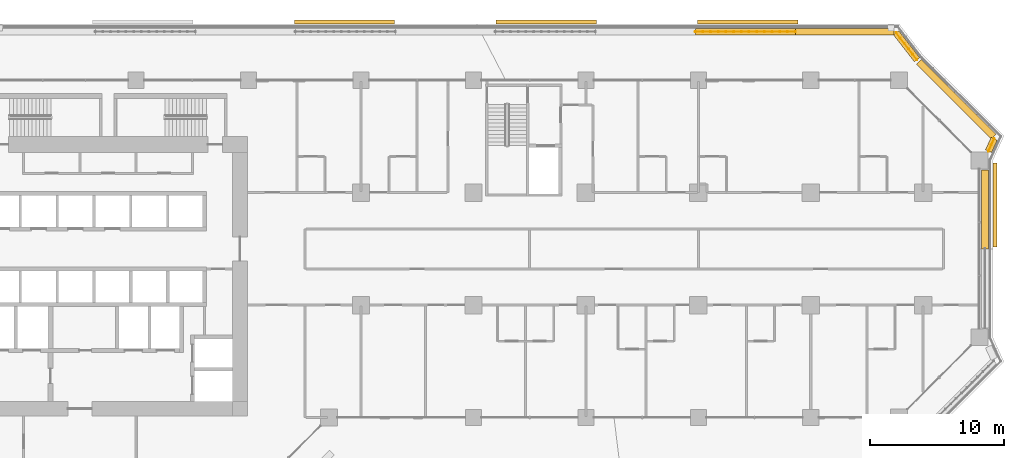
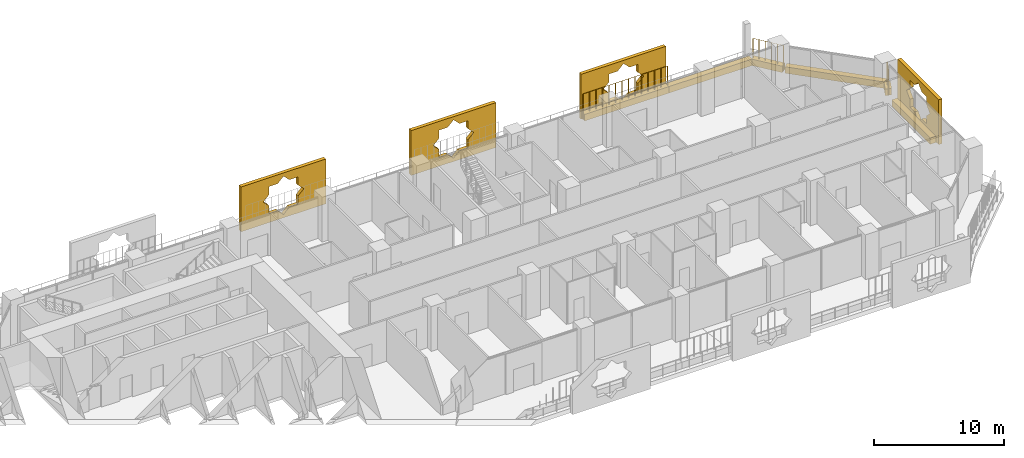
# One storey, part 28 of 28: 10 coverings, 3 railings.
"""IFC4 building model written with IfcOpenShell, lengths in metres."""

from ifc_helpers import new_model, si_unit, direction, frame, origin, origin_2d, place, context, subcontext, project, spatial, polyline, rectangle, circle, outline, extrude, material, material_profile, profile_set, type_object, element, save


model = new_model("IFC4")

# Units and contexts
model_context = context("Model", 3, precision=1e-05, world=origin(), true_north=direction((0.0, 1.0)))
body_context = subcontext(model_context, "Body", "Model", "MODEL_VIEW")
ifc_project = project(units=[si_unit("LENGTHUNIT", "METRE"), si_unit("AREAUNIT", "SQUARE_METRE"), si_unit("VOLUMEUNIT", "CUBIC_METRE"), si_unit("PLANEANGLEUNIT", "RADIAN"), si_unit("MASSUNIT", "GRAM", prefix="KILO")], contexts=[model_context])

# Site, building, storey
site_placement = place(None, origin())
site = spatial("IfcSite", under=ifc_project, at=site_placement, CompositionType="ELEMENT")
building_placement = place(site_placement, origin())
building = spatial("IfcBuilding", under=site, at=building_placement, Name="Kawkab Arch Medical Tower", CompositionType="ELEMENT")
storey_placement = place(building_placement, frame((0.0, 0.0, 81.199951171875)))
storey = spatial("IfcBuildingStorey", under=building, at=storey_placement, Name="L18", CompositionType="ELEMENT", Elevation=81.199951171875)

# Coverings
ifc_material_1 = material(Name="Bronze anodised aluminium mashrabiya panel, eight-point star pattern", Category="aluminium")
ifc_material_profile_1 = material_profile(ifc_material_1, outline(polyline([(-3.14990234375, -2.10009765625), (3.14990234375, -2.10009765625), (3.14990234375, 2.10009765625), (-3.14990234375, 2.10009765625), (-3.14990234375, -2.10009765625)]), holes=[polyline([(1.800048828125, 0.0), (1.272705078125, 0.527099609375), (1.272705078125, 1.272705078125), (0.527099609375, 1.272705078125), (0.0, 1.800048828125), (-0.527099609375, 1.272705078125), (-1.272705078125, 1.272705078125), (-1.272705078125, 0.527099609375), (-1.800048828125, 0.0), (-1.272705078125, -0.527099609375), (-1.272705078125, -1.272705078125), (-0.527099609375, -1.272705078125), (0.0, -1.800048828125), (0.527099609375, -1.272705078125), (1.272705078125, -1.272705078125), (1.272705078125, -0.527099609375), (1.800048828125, 0.0)])]), Name="Mashrabiya panel 6300x4200")
ifc_profile_set_1 = profile_set([ifc_material_profile_1], Name="Bronze anodised aluminium mashrabiya panel, eight-point star pattern")
covering_type_1 = type_object("IfcCoveringType", Name="Mashrabiya panel 6300 x 4200", PredefinedType="USERDEFINED", material=ifc_profile_set_1)
covering_1_placement = place(storey_placement, frame((80.800048828125, -9.31884765625, 1.699951171875), z_axis=(1.0, 0.0, 0.0), x_axis=(0.0, 1.0, 0.0)))
element("IfcCovering", 1, at=covering_1_placement, inside=storey, type_object=covering_type_1, Name="Mashrabiya panel L18.LOG-01-01.10", ObjectType="SCREEN", PredefinedType="USERDEFINED", context=body_context, shape_type="SweptSolid", body=[
    extrude(outline(polyline([(-3.14990234375, -2.10009765625), (3.14990234375, -2.10009765625), (3.14990234375, 2.10009765625), (-3.14990234375, 2.10009765625), (-3.14990234375, -2.10009765625)]), holes=[polyline([(1.800048828125, 0.0), (1.272705078125, 0.527099609375), (1.272705078125, 1.272705078125), (0.527099609375, 1.272705078125), (0.0, 1.800048828125), (-0.527099609375, 1.272705078125), (-1.272705078125, 1.272705078125), (-1.272705078125, 0.527099609375), (-1.800048828125, 0.0), (-1.272705078125, -0.527099609375), (-1.272705078125, -1.272705078125), (-0.527099609375, -1.272705078125), (0.0, -1.800048828125), (0.527099609375, -1.272705078125), (1.272705078125, -1.272705078125), (1.272705078125, -0.527099609375), (1.800048828125, 0.0)])]), origin(), (0.0, 0.0, 1.0), 0.300048828125),
])
ifc_material_2 = material(Name="Bronze anodised aluminium mashrabiya panel, eight-point star pattern", Category="aluminium")
ifc_material_profile_2 = material_profile(ifc_material_2, outline(polyline([(-3.75, -2.10009765625), (3.75, -2.10009765625), (3.75, 2.10009765625), (-3.75, 2.10009765625), (-3.75, -2.10009765625)]), holes=[polyline([(1.800048828125, 0.0), (1.272705078125, 0.527099609375), (1.272705078125, 1.272705078125), (0.527099609375, 1.272705078125), (0.0, 1.800048828125), (-0.527099609375, 1.272705078125), (-1.272705078125, 1.272705078125), (-1.272705078125, 0.527099609375), (-1.800048828125, 0.0), (-1.272705078125, -0.527099609375), (-1.272705078125, -1.272705078125), (-0.527099609375, -1.272705078125), (0.0, -1.800048828125), (0.527099609375, -1.272705078125), (1.272705078125, -1.272705078125), (1.272705078125, -0.527099609375), (1.800048828125, 0.0)])]), Name="Mashrabiya panel 7500x4200")
ifc_profile_set_2 = profile_set([ifc_material_profile_2], Name="Bronze anodised aluminium mashrabiya panel, eight-point star pattern")
covering_type_2 = type_object("IfcCoveringType", Name="Mashrabiya panel 7500 x 4200", PredefinedType="USERDEFINED", material=ifc_profile_set_2)
for number, where, z_axis, x_axis, name in (
    (2, (32.367919921875, 4.199951171875, 1.699951171875), (0.0, 1.0, 0.0), (-1.0, 0.0, 0.0), "Mashrabiya panel L18.LOG-01-01.7"),
    (3, (47.43212890625, 4.199951171875, 1.699951171875), (0.0, 1.0, 0.0), (-1.0, 0.0, 0.0), "Mashrabiya panel L18.LOG-01-01.8"),
    (4, (62.49658203125, 4.199951171875, 1.699951171875), (0.0, 1.0, 0.0), (-1.0, 0.0, 0.0), "Mashrabiya panel L18.LOG-01-01.9"),
):
    element("IfcCovering", number, at=place(storey_placement, frame(where, z_axis=z_axis, x_axis=x_axis)), inside=storey, type_object=covering_type_2, Name=name, ObjectType="SCREEN", PredefinedType="USERDEFINED", context=body_context, shape_type="SweptSolid", body=[
        extrude(outline(polyline([(-3.75, -2.10009765625), (3.75, -2.10009765625), (3.75, 2.10009765625), (-3.75, 2.10009765625), (-3.75, -2.10009765625)]), holes=[polyline([(1.800048828125, 0.0), (1.272705078125, 0.527099609375), (1.272705078125, 1.272705078125), (0.527099609375, 1.272705078125), (0.0, 1.800048828125), (-0.527099609375, 1.272705078125), (-1.272705078125, 1.272705078125), (-1.272705078125, 0.527099609375), (-1.800048828125, 0.0), (-1.272705078125, -0.527099609375), (-1.272705078125, -1.272705078125), (-0.527099609375, -1.272705078125), (0.0, -1.800048828125), (0.527099609375, -1.272705078125), (1.272705078125, -1.272705078125), (1.272705078125, -0.527099609375), (1.800048828125, 0.0)])]), origin(), (0.0, 0.0, 1.0), 0.300048828125),
    ])
ifc_material_3 = material(Name="Planting soil in a precast trough", Category="concrete")
ifc_material_profile_3 = material_profile(ifc_material_3, rectangle(XDim=0.5, YDim=0.60009765625, at=origin_2d()), Name="Trough 500x600")
ifc_profile_set_3 = profile_set([ifc_material_profile_3], Name="Planting soil in a precast trough")
covering_type_3 = type_object("IfcCoveringType", Name="Planter trough 500 x 600", PredefinedType="USERDEFINED", material=ifc_profile_set_3)
covering_2_placement = place(storey_placement, frame((58.575927734375, 3.6201171875, 0.300048828125), z_axis=(1.0, 0.0, 0.0), x_axis=(0.0, 1.0, 0.0)))
element("IfcCovering", 5, at=covering_2_placement, inside=storey, type_object=covering_type_3, Name="Planter L18.LOG-01-01.27", ObjectType="PLANTER", PredefinedType="USERDEFINED", context=body_context, shape_type="SweptSolid", body=[
    extrude(rectangle(XDim=0.5, YDim=0.60009765625, at=origin_2d()), origin(), (0.0, 0.0, 1.0), 7.469970703125),
])
covering_3_placement = place(storey_placement, frame((66.0458984375, 3.6201171875, 0.300048828125), z_axis=(1.0, 0.0, 0.0), x_axis=(0.0, 1.0, 0.0)))
element("IfcCovering", 6, at=covering_3_placement, inside=storey, type_object=covering_type_3, Name="Planter L18.LOG-01-01.28", ObjectType="PLANTER", PredefinedType="USERDEFINED", context=body_context, shape_type="SweptSolid", body=[
    extrude(rectangle(XDim=0.5, YDim=0.60009765625, at=origin_2d()), origin(), (0.0, 0.0, 1.0), 7.3701171875),
])
covering_4_placement = place(storey_placement, frame((73.577880859375, 3.541015625, 0.300048828125), z_axis=(0.614099956103, -0.789228258436, 0.0), x_axis=(0.789228258436, 0.614099956103, 0.0)))
element("IfcCovering", 7, at=covering_4_placement, inside=storey, type_object=covering_type_3, Name="Planter L18.LOG-01-01.29", ObjectType="PLANTER", PredefinedType="USERDEFINED", context=body_context, shape_type="SweptSolid", body=[
    extrude(rectangle(XDim=0.5, YDim=0.60009765625, at=origin_2d()), origin(), (0.0, 0.0, 1.0), 2.545654296875),
])
covering_5_placement = place(storey_placement, frame((75.27294921875, 1.383056640625, 0.300048828125), z_axis=(0.707106781187, -0.707106781187, 0.0), x_axis=(0.707106781187, 0.707106781187, 0.0)))
element("IfcCovering", 8, at=covering_5_placement, inside=storey, type_object=covering_type_3, Name="Planter L18.LOG-01-01.30", ObjectType="PLANTER", PredefinedType="USERDEFINED", context=body_context, shape_type="SweptSolid", body=[
    extrude(rectangle(XDim=0.5, YDim=0.60009765625, at=origin_2d()), origin(), (0.0, 0.0, 1.0), 7.919677734375),
])
covering_6_placement = place(storey_placement, frame((80.902099609375, -4.37890625, 0.300048828125), z_axis=(-0.415071571878, -0.909788761317, 0.0), x_axis=(0.909788761317, -0.415071571878, 0.0)))
element("IfcCovering", 9, at=covering_6_placement, inside=storey, type_object=covering_type_3, Name="Planter L18.LOG-01-01.31", ObjectType="PLANTER", PredefinedType="USERDEFINED", context=body_context, shape_type="SweptSolid", body=[
    extrude(rectangle(XDim=0.5, YDim=0.60009765625, at=origin_2d()), origin(), (0.0, 0.0, 1.0), 1.0146484375),
])
covering_7_placement = place(storey_placement, frame((80.219970703125, -6.705078125, 0.300048828125), z_axis=(0.0, -1.0, 0.0), x_axis=(1.0, 0.0, 0.0)))
element("IfcCovering", 10, at=covering_7_placement, inside=storey, type_object=covering_type_3, Name="Planter L18.LOG-01-01.32", ObjectType="PLANTER", PredefinedType="USERDEFINED", context=body_context, shape_type="SweptSolid", body=[
    extrude(rectangle(XDim=0.5, YDim=0.60009765625, at=origin_2d()), origin(), (0.0, 0.0, 1.0), 5.89501953125),
])

# Railings
ifc_material_4 = material(Name="Bronze anodised aluminium trellis for climbing plants", Category="aluminium")
railing_type = type_object("IfcRailingType", Name="Planting trellis 2400", PredefinedType="USERDEFINED", material=ifc_material_4)
railing_1_placement = place(storey_placement, frame((58.575927734375, 3.6201171875, 0.0)))
element("IfcRailing", 11, at=railing_1_placement, inside=storey, type_object=railing_type, Name="Planting trellis L18.LOG-01-01.27", ObjectType="TRELLIS", PredefinedType="USERDEFINED", context=body_context, shape_type="SweptSolid", body=[
    extrude(circle(Radius=0.01513671875, at=origin_2d()), frame((0.0, 0.0, 2.384765625), z_axis=(1.0, 0.0, 0.0), x_axis=(0.0, 1.0, 0.0)), (0.0, 0.0, 1.0), 7.469970703125),
    extrude(circle(Radius=0.030029296875, at=origin_2d()), origin(), (0.0, 0.0, 1.0), 2.369873046875),
    extrude(circle(Radius=0.030029296875, at=origin_2d()), frame((0.57470703125, 0.0, 0.0)), (0.0, 0.0, 1.0), 2.369873046875),
    extrude(circle(Radius=0.030029296875, at=origin_2d()), frame((1.149169921875, 0.0, 0.0)), (0.0, 0.0, 1.0), 2.369873046875),
    extrude(circle(Radius=0.030029296875, at=origin_2d()), frame((1.723876953125, 0.0, 0.0)), (0.0, 0.0, 1.0), 2.369873046875),
    extrude(circle(Radius=0.030029296875, at=origin_2d()), frame((2.29833984375, 0.0, 0.0)), (0.0, 0.0, 1.0), 2.369873046875),
    extrude(circle(Radius=0.030029296875, at=origin_2d()), frame((2.873046875, 0.0, 0.0)), (0.0, 0.0, 1.0), 2.369873046875),
    extrude(circle(Radius=0.030029296875, at=origin_2d()), frame((3.44775390625, 0.0, 0.0)), (0.0, 0.0, 1.0), 2.369873046875),
    extrude(circle(Radius=0.030029296875, at=origin_2d()), frame((4.022216796875, 0.0, 0.0)), (0.0, 0.0, 1.0), 2.369873046875),
    extrude(circle(Radius=0.030029296875, at=origin_2d()), frame((4.596923828125, 0.0, 0.0)), (0.0, 0.0, 1.0), 2.369873046875),
    extrude(circle(Radius=0.030029296875, at=origin_2d()), frame((5.171630859375, 0.0, 0.0)), (0.0, 0.0, 1.0), 2.369873046875),
    extrude(circle(Radius=0.030029296875, at=origin_2d()), frame((5.74609375, 0.0, 0.0)), (0.0, 0.0, 1.0), 2.369873046875),
    extrude(circle(Radius=0.030029296875, at=origin_2d()), frame((6.32080078125, 0.0, 0.0)), (0.0, 0.0, 1.0), 2.369873046875),
    extrude(circle(Radius=0.030029296875, at=origin_2d()), frame((6.895263671875, 0.0, 0.0)), (0.0, 0.0, 1.0), 2.369873046875),
    extrude(circle(Radius=0.030029296875, at=origin_2d()), frame((7.469970703125, 0.0, 0.0)), (0.0, 0.0, 1.0), 2.369873046875),
])
railing_2_placement = place(storey_placement, frame((73.577880859375, 3.541015625, 0.0)))
element("IfcRailing", 12, at=railing_2_placement, inside=storey, type_object=railing_type, Name="Planting trellis L18.LOG-01-01.29", ObjectType="TRELLIS", PredefinedType="USERDEFINED", context=body_context, shape_type="SweptSolid", body=[
    extrude(circle(Radius=0.01513671875, at=origin_2d()), frame((0.0, 0.0, 2.384765625), z_axis=(0.614099956103, -0.789228258436, 0.0), x_axis=(0.789228258436, 0.614099956103, 0.0)), (0.0, 0.0, 1.0), 2.545654296875),
    extrude(circle(Radius=0.030029296875, at=origin_2d()), origin(), (0.0, 0.0, 1.0), 2.369873046875),
    extrude(circle(Radius=0.030029296875, at=origin_2d()), frame((0.312744140625, -0.40185546875, 0.0)), (0.0, 0.0, 1.0), 2.369873046875),
    extrude(circle(Radius=0.030029296875, at=origin_2d()), frame((0.625244140625, -0.8037109375, 0.0)), (0.0, 0.0, 1.0), 2.369873046875),
    extrude(circle(Radius=0.030029296875, at=origin_2d()), frame((0.93798828125, -1.205322265625, 0.0)), (0.0, 0.0, 1.0), 2.369873046875),
    extrude(circle(Radius=0.030029296875, at=origin_2d()), frame((1.25048828125, -1.607177734375, 0.0)), (0.0, 0.0, 1.0), 2.369873046875),
    extrude(circle(Radius=0.030029296875, at=origin_2d()), frame((1.563232421875, -2.009033203125, 0.0)), (0.0, 0.0, 1.0), 2.369873046875),
])
railing_3_placement = place(storey_placement, frame((80.902099609375, -4.37890625, 0.0)))
element("IfcRailing", 13, at=railing_3_placement, inside=storey, type_object=railing_type, Name="Planting trellis L18.LOG-01-01.31", ObjectType="TRELLIS", PredefinedType="USERDEFINED", context=body_context, shape_type="SweptSolid", body=[
    extrude(circle(Radius=0.01513671875, at=origin_2d()), frame((0.0, 0.0, 2.384765625), z_axis=(-0.415071571878, -0.909788761317, 0.0), x_axis=(0.909788761317, -0.415071571878, 0.0)), (0.0, 0.0, 1.0), 1.0146484375),
    extrude(circle(Radius=0.030029296875, at=origin_2d()), origin(), (0.0, 0.0, 1.0), 2.369873046875),
    extrude(circle(Radius=0.030029296875, at=origin_2d()), frame((-0.21044921875, -0.46142578125, 0.0)), (0.0, 0.0, 1.0), 2.369873046875),
    extrude(circle(Radius=0.030029296875, at=origin_2d()), frame((-0.421142578125, -0.923095703125, 0.0)), (0.0, 0.0, 1.0), 2.369873046875),
])

save(model, "model.ifc")
